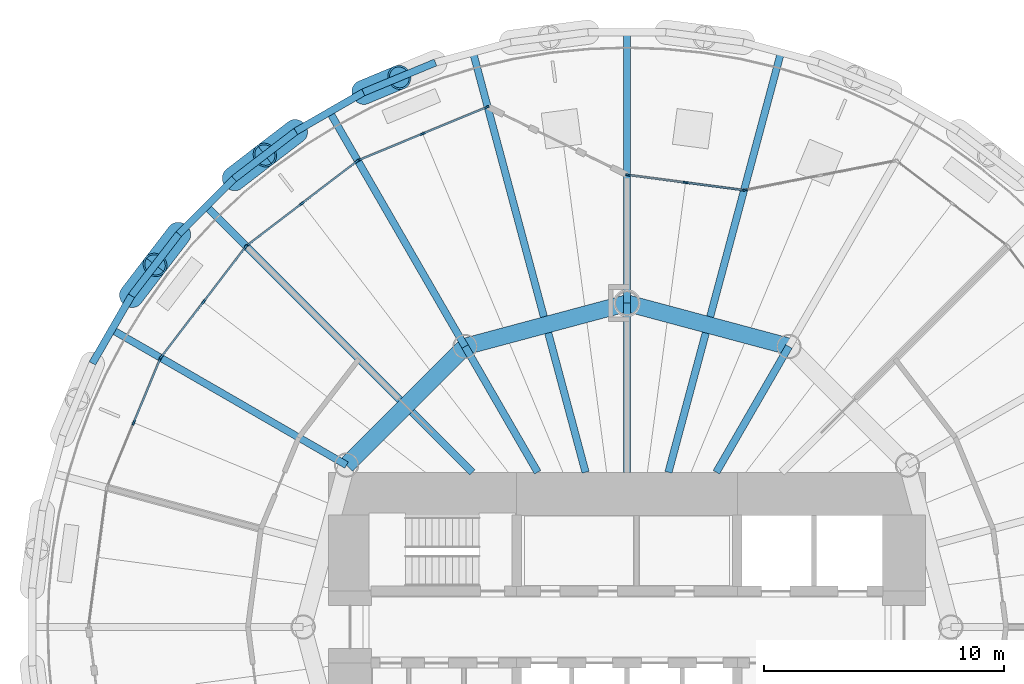
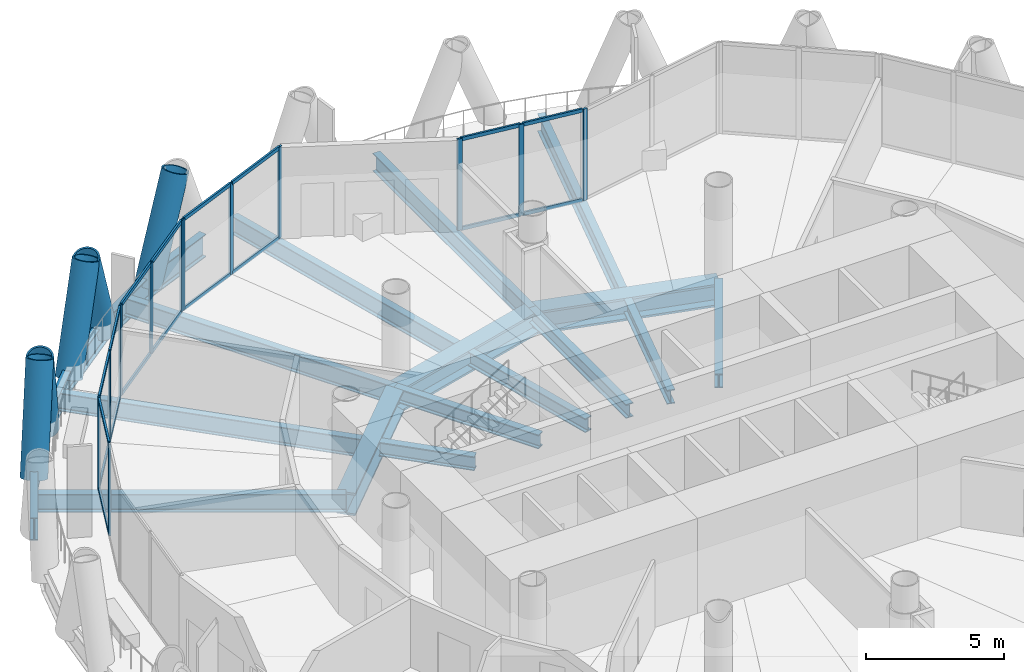
# One storey, part 6 of 15: 37 members, 21 beams, 6 elements without a shape of their own.
"""IFC4 building model written with IfcOpenShell, lengths in metres."""

from ifc_helpers import new_model, si_unit, direction, frame, origin, origin_2d, place, context, subcontext, project, spatial, rectangle, hollow_circle, i_section, extrude, material, material_profile, profile_set, type_object, element, aggregate, save


model = new_model("IFC4")

# Units and contexts
model_context = context("Model", 3, precision=1e-05, world=origin(), true_north=direction((0.0, 1.0)))
body_context = subcontext(model_context, "Body", "Model", "MODEL_VIEW")
ifc_project = project(units=[si_unit("LENGTHUNIT", "METRE"), si_unit("AREAUNIT", "SQUARE_METRE"), si_unit("VOLUMEUNIT", "CUBIC_METRE"), si_unit("PLANEANGLEUNIT", "RADIAN"), si_unit("MASSUNIT", "GRAM", prefix="KILO")], contexts=[model_context])

# Site, building, storey
site_placement = place(None, origin())
site = spatial("IfcSite", under=ifc_project, at=site_placement, CompositionType="ELEMENT")
building_placement = place(site_placement, origin())
building = spatial("IfcBuilding", under=site, at=building_placement, Name="Qaws Media Tower", CompositionType="ELEMENT")
storey_placement = place(building_placement, frame((0.0, 0.0, 147.800048828125)))
storey = spatial("IfcBuildingStorey", under=building, at=storey_placement, Name="L33", CompositionType="ELEMENT", Elevation=147.800048828125)

# Curtain wall, member
ifc_material_1 = material(Name="Aluminium and clear glass", Category="aluminium")
curtain_wall_type_1 = type_object("IfcCurtainWallType", Name="Loggia curtain wall CW-G", PredefinedType="NOTDEFINED", material=ifc_material_1)
curtain_wall_1_placement = place(storey_placement, origin())
curtain_wall_1 = element("IfcCurtainWall", 1, at=curtain_wall_1_placement, inside=storey, type_object=curtain_wall_type_1, Name="CWG curtain wall L33-05", PredefinedType="NOTDEFINED")
ifc_material_2 = material(Name="Aluminium mullion", Category="aluminium")
ifc_material_profile_1 = material_profile(ifc_material_2, rectangle(XDim=0.080078125, YDim=0.199951171875, at=origin_2d()), Name="80x200")
ifc_profile_set_1 = profile_set([ifc_material_profile_1], Name="Aluminium mullion")
member_type_1 = type_object("IfcMemberType", Name="Curtain wall mullion 80x200", PredefinedType="MULLION", material=ifc_profile_set_1)
member_1_placement = place(storey_placement, frame((64.91796875, 68.21533203125, 0.0), z_axis=(0.0, 0.0, 1.0), x_axis=(0.190955028534, -0.981598786204, 0.0)))
member_1 = element("IfcMember", 2, at=member_1_placement, type_object=member_type_1, Name="CWG mullion 3", PredefinedType="MULLION", context=body_context, shape_type="SweptSolid", body=[
    extrude(rectangle(XDim=0.080078125, YDim=0.199951171875, at=origin_2d()), origin(), (0.0, 0.0, 1.0), 4.0400390625),
])
aggregate(curtain_wall_1, [member_1])

# Curtain wall, members
curtain_wall_2_placement = place(storey_placement, origin())
curtain_wall_2 = element("IfcCurtainWall", 3, at=curtain_wall_2_placement, inside=storey, type_object=curtain_wall_type_1, Name="CWG curtain wall L33-06", PredefinedType="NOTDEFINED")
member_2_placement = place(storey_placement, frame((62.439453125, 68.52880859375, 0.0), z_axis=(0.0, 0.0, 1.0), x_axis=(-0.13052615737, -0.991444865962, 0.0)))
member_2 = element("IfcMember", 4, at=member_2_placement, type_object=member_type_1, Name="CWG mullion 2", PredefinedType="MULLION", context=body_context, shape_type="SweptSolid", body=[
    extrude(rectangle(XDim=0.080078125, YDim=0.199951171875, at=origin_2d()), origin(), (0.0, 0.0, 1.0), 4.0400390625),
])
member_3_placement = place(storey_placement, frame((60.03955078125, 68.8447265625, 0.0), z_axis=(0.0, 0.0, 1.0), x_axis=(-0.13052615737, -0.991444865962, 0.0)))
member_3 = element("IfcMember", 5, at=member_3_placement, type_object=member_type_1, Name="CWG mullion 3", PredefinedType="MULLION", context=body_context, shape_type="SweptSolid", body=[
    extrude(rectangle(XDim=0.080078125, YDim=0.199951171875, at=origin_2d()), origin(), (0.0, 0.0, 1.0), 4.0400390625),
])

ifc_material_3 = material(Name="Aluminium and clear glass", Category="aluminium")
curtain_wall_type_2 = type_object("IfcCurtainWallType", Name="Unitised curtain wall CW-B", PredefinedType="NOTDEFINED", material=ifc_material_3)
curtain_wall_3_placement = place(storey_placement, origin())
curtain_wall_3 = element("IfcCurtainWall", 6, at=curtain_wall_3_placement, inside=storey, type_object=curtain_wall_type_2, Name="CWB curtain wall L33-08", PredefinedType="NOTDEFINED")
member_4_placement = place(storey_placement, frame((54.152587890625, 71.669677734375, 0.0), z_axis=(0.0, 0.0, 1.0), x_axis=(0.382683533725, -0.923879490527, 0.0)))
member_4 = element("IfcMember", 7, at=member_4_placement, type_object=member_type_1, Name="CWB mullion 1", PredefinedType="MULLION", context=body_context, shape_type="SweptSolid", body=[
    extrude(rectangle(XDim=0.080078125, YDim=0.199951171875, at=origin_2d()), origin(), (0.0, 0.0, 1.0), 4.0400390625),
])
member_5_placement = place(storey_placement, frame((51.482177734375, 70.563720703125, 0.0), z_axis=(0.0, 0.0, 1.0), x_axis=(0.382683533725, -0.923879490527, 0.0)))
member_5 = element("IfcMember", 8, at=member_5_placement, type_object=member_type_1, Name="CWB mullion 2", PredefinedType="MULLION", context=body_context, shape_type="SweptSolid", body=[
    extrude(rectangle(XDim=0.080078125, YDim=0.199951171875, at=origin_2d()), origin(), (0.0, 0.0, 1.0), 4.0400390625),
])
member_6_placement = place(storey_placement, frame((48.81201171875, 69.45751953125, 0.0), z_axis=(0.0, 0.0, 1.0), x_axis=(0.382683533725, -0.923879490527, 0.0)))
member_6 = element("IfcMember", 9, at=member_6_placement, type_object=member_type_1, Name="CWB mullion 3", PredefinedType="MULLION", context=body_context, shape_type="SweptSolid", body=[
    extrude(rectangle(XDim=0.080078125, YDim=0.199951171875, at=origin_2d()), origin(), (0.0, 0.0, 1.0), 4.0400390625),
])

curtain_wall_4_placement = place(storey_placement, origin())
curtain_wall_4 = element("IfcCurtainWall", 10, at=curtain_wall_4_placement, inside=storey, type_object=curtain_wall_type_2, Name="CWB curtain wall L33-09", PredefinedType="NOTDEFINED")
member_7_placement = place(storey_placement, frame((48.7431640625, 69.41796875, 0.0), z_axis=(0.0, 0.0, 1.0), x_axis=(0.608761440294, -0.793353331632, 0.0)))
member_7 = element("IfcMember", 11, at=member_7_placement, type_object=member_type_1, Name="CWB mullion 1", PredefinedType="MULLION", context=body_context, shape_type="SweptSolid", body=[
    extrude(rectangle(XDim=0.080078125, YDim=0.199951171875, at=origin_2d()), origin(), (0.0, 0.0, 1.0), 4.0400390625),
])
member_8_placement = place(storey_placement, frame((46.4501953125, 67.658447265625, 0.0), z_axis=(0.0, 0.0, 1.0), x_axis=(0.608761440294, -0.793353331632, 0.0)))
member_8 = element("IfcMember", 12, at=member_8_placement, type_object=member_type_1, Name="CWB mullion 2", PredefinedType="MULLION", context=body_context, shape_type="SweptSolid", body=[
    extrude(rectangle(XDim=0.080078125, YDim=0.199951171875, at=origin_2d()), origin(), (0.0, 0.0, 1.0), 4.0400390625),
])
member_9_placement = place(storey_placement, frame((44.1572265625, 65.89892578125, 0.0), z_axis=(0.0, 0.0, 1.0), x_axis=(0.608761440294, -0.793353331632, 0.0)))
member_9 = element("IfcMember", 13, at=member_9_placement, type_object=member_type_1, Name="CWB mullion 3", PredefinedType="MULLION", context=body_context, shape_type="SweptSolid", body=[
    extrude(rectangle(XDim=0.080078125, YDim=0.199951171875, at=origin_2d()), origin(), (0.0, 0.0, 1.0), 4.0400390625),
])

curtain_wall_5_placement = place(storey_placement, origin())
curtain_wall_5 = element("IfcCurtainWall", 14, at=curtain_wall_5_placement, inside=storey, type_object=curtain_wall_type_2, Name="CWB curtain wall L33-10", PredefinedType="NOTDEFINED")
member_10_placement = place(storey_placement, frame((44.10107421875, 65.8427734375, 0.0), z_axis=(0.0, 0.0, 1.0), x_axis=(0.793353331632, -0.608761440294, 0.0)))
member_10 = element("IfcMember", 15, at=member_10_placement, type_object=member_type_1, Name="CWB mullion 1", PredefinedType="MULLION", context=body_context, shape_type="SweptSolid", body=[
    extrude(rectangle(XDim=0.080078125, YDim=0.199951171875, at=origin_2d()), origin(), (0.0, 0.0, 1.0), 4.0400390625),
])
member_11_placement = place(storey_placement, frame((42.341552734375, 63.5498046875, 0.0), z_axis=(0.0, 0.0, 1.0), x_axis=(0.793353331632, -0.608761440294, 0.0)))
member_11 = element("IfcMember", 16, at=member_11_placement, type_object=member_type_1, Name="CWB mullion 2", PredefinedType="MULLION", context=body_context, shape_type="SweptSolid", body=[
    extrude(rectangle(XDim=0.080078125, YDim=0.199951171875, at=origin_2d()), origin(), (0.0, 0.0, 1.0), 4.0400390625),
])
member_12_placement = place(storey_placement, frame((40.58203125, 61.2568359375, 0.0), z_axis=(0.0, 0.0, 1.0), x_axis=(0.793353331632, -0.608761440294, 0.0)))
member_12 = element("IfcMember", 17, at=member_12_placement, type_object=member_type_1, Name="CWB mullion 3", PredefinedType="MULLION", context=body_context, shape_type="SweptSolid", body=[
    extrude(rectangle(XDim=0.080078125, YDim=0.199951171875, at=origin_2d()), origin(), (0.0, 0.0, 1.0), 4.0400390625),
])

curtain_wall_6_placement = place(storey_placement, origin())
curtain_wall_6 = element("IfcCurtainWall", 18, at=curtain_wall_6_placement, inside=storey, type_object=curtain_wall_type_2, Name="CWB curtain wall L33-11", PredefinedType="NOTDEFINED")
member_13_placement = place(storey_placement, frame((40.54248046875, 61.18798828125, 0.0), z_axis=(0.0, 0.0, 1.0), x_axis=(0.923879490527, -0.382683533725, 0.0)))
member_13 = element("IfcMember", 19, at=member_13_placement, type_object=member_type_1, Name="CWB mullion 1", PredefinedType="MULLION", context=body_context, shape_type="SweptSolid", body=[
    extrude(rectangle(XDim=0.080078125, YDim=0.199951171875, at=origin_2d()), origin(), (0.0, 0.0, 1.0), 4.0400390625),
])
member_14_placement = place(storey_placement, frame((39.436279296875, 58.517822265625, 0.0), z_axis=(0.0, 0.0, 1.0), x_axis=(0.923879490527, -0.382683533725, 0.0)))
member_14 = element("IfcMember", 20, at=member_14_placement, type_object=member_type_1, Name="CWB mullion 2", PredefinedType="MULLION", context=body_context, shape_type="SweptSolid", body=[
    extrude(rectangle(XDim=0.080078125, YDim=0.199951171875, at=origin_2d()), origin(), (0.0, 0.0, 1.0), 4.0400390625),
])

# Member
ifc_material_4 = material(Name="Aluminium transom", Category="aluminium")
ifc_material_profile_2 = material_profile(ifc_material_4, rectangle(XDim=0.080078125, YDim=0.159912109375, at=origin_2d()), Name="80x160")
ifc_profile_set_2 = profile_set([ifc_material_profile_2], Name="Aluminium transom")
member_type_2 = type_object("IfcMemberType", Name="Curtain wall transom 80x160", PredefinedType="USERDEFINED", material=ifc_profile_set_2)
member_15_placement = place(storey_placement, frame((64.79931640625, 68.21826171875, 0.0400390625), z_axis=(-0.991447903127, 0.130503085734, 0.0), x_axis=(-0.130503085734, -0.991447903127, 0.0)))
member_15 = element("IfcMember", 21, at=member_15_placement, type_object=member_type_2, Name="CWG transom 1.1", ObjectType="TRANSOM", PredefinedType="USERDEFINED", context=body_context, shape_type="SweptSolid", body=[
    extrude(rectangle(XDim=0.080078125, YDim=0.159912109375, at=origin_2d()), origin(), (0.0, 0.0, 1.0), 2.34033203125),
])

member_16_placement = place(storey_placement, frame((64.79931640625, 68.21826171875, 4.0), z_axis=(-0.991447903127, 0.130503085734, 0.0), x_axis=(-0.130503085734, -0.991447903127, 0.0)))
member_16 = element("IfcMember", 22, at=member_16_placement, type_object=member_type_2, Name="CWG transom 1.2", ObjectType="TRANSOM", PredefinedType="USERDEFINED", context=body_context, shape_type="SweptSolid", body=[
    extrude(rectangle(XDim=0.080078125, YDim=0.159912109375, at=origin_2d()), origin(), (0.0, 0.0, 1.0), 2.34033203125),
])

member_17_placement = place(storey_placement, frame((62.399658203125, 68.5341796875, 0.0400390625), z_axis=(-0.991447903127, 0.130503085734, 0.0), x_axis=(-0.130503085734, -0.991447903127, 0.0)))
member_17 = element("IfcMember", 23, at=member_17_placement, type_object=member_type_2, Name="CWG transom 2.1", ObjectType="TRANSOM", PredefinedType="USERDEFINED", context=body_context, shape_type="SweptSolid", body=[
    extrude(rectangle(XDim=0.080078125, YDim=0.159912109375, at=origin_2d()), origin(), (0.0, 0.0, 1.0), 2.34033203125),
])

member_18_placement = place(storey_placement, frame((62.399658203125, 68.5341796875, 4.0), z_axis=(-0.991447903127, 0.130503085734, 0.0), x_axis=(-0.130503085734, -0.991447903127, 0.0)))
member_18 = element("IfcMember", 24, at=member_18_placement, type_object=member_type_2, Name="CWG transom 2.2", ObjectType="TRANSOM", PredefinedType="USERDEFINED", context=body_context, shape_type="SweptSolid", body=[
    extrude(rectangle(XDim=0.080078125, YDim=0.159912109375, at=origin_2d()), origin(), (0.0, 0.0, 1.0), 2.34033203125),
])

aggregate(curtain_wall_2, [member_2, member_3, member_15, member_16, member_17, member_18])

member_19_placement = place(storey_placement, frame((54.11572265625, 71.654541015625, 0.0400390625), z_axis=(-0.923853769543, -0.382745623752, 0.0), x_axis=(0.382745623752, -0.923853769543, 0.0)))
member_19 = element("IfcMember", 25, at=member_19_placement, type_object=member_type_2, Name="CWB transom 1.1", ObjectType="TRANSOM", PredefinedType="USERDEFINED", context=body_context, shape_type="SweptSolid", body=[
    extrude(rectangle(XDim=0.080078125, YDim=0.159912109375, at=origin_2d()), origin(), (0.0, 0.0, 1.0), 2.810546875),
])

member_20_placement = place(storey_placement, frame((54.11572265625, 71.654541015625, 4.0), z_axis=(-0.923853769543, -0.382745623752, 0.0), x_axis=(0.382745623752, -0.923853769543, 0.0)))
member_20 = element("IfcMember", 26, at=member_20_placement, type_object=member_type_2, Name="CWB transom 1.2", ObjectType="TRANSOM", PredefinedType="USERDEFINED", context=body_context, shape_type="SweptSolid", body=[
    extrude(rectangle(XDim=0.080078125, YDim=0.159912109375, at=origin_2d()), origin(), (0.0, 0.0, 1.0), 2.810546875),
])

member_21_placement = place(storey_placement, frame((51.4453125, 70.54833984375, 0.0400390625), z_axis=(-0.923884484618, -0.382671476703, 0.0), x_axis=(0.382671476703, -0.923884484618, 0.0)))
member_21 = element("IfcMember", 27, at=member_21_placement, type_object=member_type_2, Name="CWB transom 2.1", ObjectType="TRANSOM", PredefinedType="USERDEFINED", context=body_context, shape_type="SweptSolid", body=[
    extrude(rectangle(XDim=0.080078125, YDim=0.159912109375, at=origin_2d()), origin(), (0.0, 0.0, 1.0), 2.810302734375),
])

member_22_placement = place(storey_placement, frame((51.4453125, 70.54833984375, 4.0), z_axis=(-0.923884484618, -0.382671476703, 0.0), x_axis=(0.382671476703, -0.923884484618, 0.0)))
member_22 = element("IfcMember", 28, at=member_22_placement, type_object=member_type_2, Name="CWB transom 2.2", ObjectType="TRANSOM", PredefinedType="USERDEFINED", context=body_context, shape_type="SweptSolid", body=[
    extrude(rectangle(XDim=0.080078125, YDim=0.159912109375, at=origin_2d()), origin(), (0.0, 0.0, 1.0), 2.810302734375),
])

aggregate(curtain_wall_3, [member_4, member_5, member_6, member_19, member_20, member_21, member_22])

member_23_placement = place(storey_placement, frame((48.71142578125, 69.3935546875, 0.0400390625), z_axis=(-0.793362992919, -0.608748849253, 0.0), x_axis=(0.608748849253, -0.793362992919, 0.0)))
member_23 = element("IfcMember", 29, at=member_23_placement, type_object=member_type_2, Name="CWB transom 1.1", ObjectType="TRANSOM", PredefinedType="USERDEFINED", context=body_context, shape_type="SweptSolid", body=[
    extrude(rectangle(XDim=0.080078125, YDim=0.159912109375, at=origin_2d()), origin(), (0.0, 0.0, 1.0), 2.81005859375),
])

member_24_placement = place(storey_placement, frame((48.71142578125, 69.3935546875, 4.0), z_axis=(-0.793362992919, -0.608748849253, 0.0), x_axis=(0.608748849253, -0.793362992919, 0.0)))
member_24 = element("IfcMember", 30, at=member_24_placement, type_object=member_type_2, Name="CWB transom 1.2", ObjectType="TRANSOM", PredefinedType="USERDEFINED", context=body_context, shape_type="SweptSolid", body=[
    extrude(rectangle(XDim=0.080078125, YDim=0.159912109375, at=origin_2d()), origin(), (0.0, 0.0, 1.0), 2.81005859375),
])

member_25_placement = place(storey_placement, frame((46.41845703125, 67.634033203125, 0.0400390625), z_axis=(-0.793362992919, -0.608748849253, 0.0), x_axis=(0.608748849253, -0.793362992919, 0.0)))
member_25 = element("IfcMember", 31, at=member_25_placement, type_object=member_type_2, Name="CWB transom 2.1", ObjectType="TRANSOM", PredefinedType="USERDEFINED", context=body_context, shape_type="SweptSolid", body=[
    extrude(rectangle(XDim=0.080078125, YDim=0.159912109375, at=origin_2d()), origin(), (0.0, 0.0, 1.0), 2.81005859375),
])

member_26_placement = place(storey_placement, frame((46.41845703125, 67.634033203125, 4.0), z_axis=(-0.793362992919, -0.608748849253, 0.0), x_axis=(0.608748849253, -0.793362992919, 0.0)))
member_26 = element("IfcMember", 32, at=member_26_placement, type_object=member_type_2, Name="CWB transom 2.2", ObjectType="TRANSOM", PredefinedType="USERDEFINED", context=body_context, shape_type="SweptSolid", body=[
    extrude(rectangle(XDim=0.080078125, YDim=0.159912109375, at=origin_2d()), origin(), (0.0, 0.0, 1.0), 2.81005859375),
])

aggregate(curtain_wall_4, [member_7, member_8, member_9, member_23, member_24, member_25, member_26])

member_27_placement = place(storey_placement, frame((44.07666015625, 65.81103515625, 0.0400390625), z_axis=(-0.608748849253, -0.793362992919, 0.0), x_axis=(0.793362992919, -0.608748849253, 0.0)))
member_27 = element("IfcMember", 33, at=member_27_placement, type_object=member_type_2, Name="CWB transom 1.1", ObjectType="TRANSOM", PredefinedType="USERDEFINED", context=body_context, shape_type="SweptSolid", body=[
    extrude(rectangle(XDim=0.080078125, YDim=0.159912109375, at=origin_2d()), origin(), (0.0, 0.0, 1.0), 2.81005859375),
])

member_28_placement = place(storey_placement, frame((44.07666015625, 65.81103515625, 4.0), z_axis=(-0.608748849253, -0.793362992919, 0.0), x_axis=(0.793362992919, -0.608748849253, 0.0)))
member_28 = element("IfcMember", 34, at=member_28_placement, type_object=member_type_2, Name="CWB transom 1.2", ObjectType="TRANSOM", PredefinedType="USERDEFINED", context=body_context, shape_type="SweptSolid", body=[
    extrude(rectangle(XDim=0.080078125, YDim=0.159912109375, at=origin_2d()), origin(), (0.0, 0.0, 1.0), 2.81005859375),
])

member_29_placement = place(storey_placement, frame((42.317138671875, 63.51806640625, 0.0400390625), z_axis=(-0.608748849253, -0.793362992919, 0.0), x_axis=(0.793362992919, -0.608748849253, 0.0)))
member_29 = element("IfcMember", 35, at=member_29_placement, type_object=member_type_2, Name="CWB transom 2.1", ObjectType="TRANSOM", PredefinedType="USERDEFINED", context=body_context, shape_type="SweptSolid", body=[
    extrude(rectangle(XDim=0.080078125, YDim=0.159912109375, at=origin_2d()), origin(), (0.0, 0.0, 1.0), 2.81005859375),
])

member_30_placement = place(storey_placement, frame((42.317138671875, 63.51806640625, 4.0), z_axis=(-0.608748849253, -0.793362992919, 0.0), x_axis=(0.793362992919, -0.608748849253, 0.0)))
member_30 = element("IfcMember", 36, at=member_30_placement, type_object=member_type_2, Name="CWB transom 2.2", ObjectType="TRANSOM", PredefinedType="USERDEFINED", context=body_context, shape_type="SweptSolid", body=[
    extrude(rectangle(XDim=0.080078125, YDim=0.159912109375, at=origin_2d()), origin(), (0.0, 0.0, 1.0), 2.81005859375),
])

aggregate(curtain_wall_5, [member_10, member_11, member_12, member_27, member_28, member_29, member_30])

member_31_placement = place(storey_placement, frame((40.527099609375, 61.151123046875, 0.0400390625), z_axis=(-0.382671476703, -0.923884484618, 0.0), x_axis=(0.923884484618, -0.382671476703, 0.0)))
member_31 = element("IfcMember", 37, at=member_31_placement, type_object=member_type_2, Name="CWB transom 1.1", ObjectType="TRANSOM", PredefinedType="USERDEFINED", context=body_context, shape_type="SweptSolid", body=[
    extrude(rectangle(XDim=0.080078125, YDim=0.159912109375, at=origin_2d()), origin(), (0.0, 0.0, 1.0), 2.810302734375),
])

member_32_placement = place(storey_placement, frame((40.527099609375, 61.151123046875, 4.0), z_axis=(-0.382671476703, -0.923884484618, 0.0), x_axis=(0.923884484618, -0.382671476703, 0.0)))
member_32 = element("IfcMember", 38, at=member_32_placement, type_object=member_type_2, Name="CWB transom 1.2", ObjectType="TRANSOM", PredefinedType="USERDEFINED", context=body_context, shape_type="SweptSolid", body=[
    extrude(rectangle(XDim=0.080078125, YDim=0.159912109375, at=origin_2d()), origin(), (0.0, 0.0, 1.0), 2.810302734375),
])

aggregate(curtain_wall_6, [member_13, member_14, member_31, member_32])

# Members
ifc_material_5 = material(Name="Steel S460", Category="steel")
ifc_material_profile_3 = material_profile(ifc_material_5, hollow_circle(Radius=0.508056640625, WallThickness=0.070068359375, at=origin_2d()), Name="CHS 1016x70")
ifc_profile_set_3 = profile_set([ifc_material_profile_3], Name="Steel S460")
member_type_3 = type_object("IfcMemberType", Name="Diagrid member CHS 1016x70", PredefinedType="USERDEFINED", material=ifc_profile_set_3)
for number, where, z_axis, x_axis, name in (
    (39, (46.194091796875, 70.662109375, -0.6640625), (-0.286725601393, -0.219177842018, 0.932603615195), (0.60730513351, -0.794468674532, 0.0), "DG3 diagrid L33 A09"),
    (40, (49.009033203125, 72.287353515625, -0.6640625), (0.333183827093, 0.138727206888, 0.932600289209), (-0.384380728682, 0.923174661382, 0.0), "DG3 diagrid L33 B09"),
    (41, (41.31689453125, 66.384765625, -0.6640625), (-0.220260886257, -0.285910882136, 0.932598578951), (0.792182658337, -0.61028406159, 0.0), "DG3 diagrid L33 A10"),
    (42, (43.615234375, 68.68310546875, -0.6640625), (0.285910882136, 0.220260886257, 0.932598578951), (-0.61028406159, 0.792182658337, 0.0), "DG3 diagrid L33 B10"),
    (43, (39.337890625, 63.805908203125, -0.6640625), (0.219177842018, 0.286725601393, 0.932603615195), (-0.794468674532, 0.60730513351, 0.0), "DG3 diagrid L33 B11"),
):
    element("IfcMember", number, at=place(storey_placement, frame(where, z_axis=z_axis, x_axis=x_axis)), inside=storey, type_object=member_type_3, Name=name, ObjectType="DIAGRID", PredefinedType="USERDEFINED", context=body_context, shape_type="SweptSolid", body=[
        extrude(hollow_circle(Radius=0.508056640625, WallThickness=0.070068359375, at=origin_2d()), origin(), (0.0, 0.0, 1.0), 4.50341796875),
    ])

# Beams
ifc_material_6 = material(Name="Steel S460", Category="steel")
ifc_material_profile_4 = material_profile(ifc_material_6, i_section(OverallWidth=0.302001953125, OverallDepth=1.008056640625, WebThickness=0.02099609375, FlangeThickness=0.0400390625, FilletRadius=0.030029296875, at=origin_2d()), Name="HE 1000 M")
ifc_profile_set_4 = profile_set([ifc_material_profile_4], Name="Steel S460")
beam_type_1 = type_object("IfcBeamType", Name="Edge ring beam HE 1000 M", PredefinedType="BEAM", material=ifc_profile_set_4)
for number, where, z_axis, x_axis, name in (
    (44, (52.01220703125, 73.53125, -0.6640625), (-0.923885932757, -0.38266798044, 0.0), (0.38266798044, -0.923885932757, 0.0), "RB3 edge ring beam L33-15"),
    (45, (49.009033203125, 72.287353515625, -0.6640625), (-0.866020479782, -0.500008528526, 0.0), (0.500008528526, -0.866020479782, 0.0), "RB3 edge ring beam L33-16"),
):
    element("IfcBeam", number, at=place(storey_placement, frame(where, z_axis=z_axis, x_axis=x_axis)), inside=storey, type_object=beam_type_1, Name=name, PredefinedType="BEAM", context=body_context, shape_type="SweptSolid", body=[
        extrude(i_section(OverallWidth=0.302001953125, OverallDepth=1.008056640625, WebThickness=0.02099609375, FlangeThickness=0.0400390625, FilletRadius=0.030029296875, at=origin_2d()), origin(), (0.0, 0.0, 1.0), 3.25048828125),
    ])
beam_1_placement = place(storey_placement, frame((46.194091796875, 70.662109375, -0.6640625), z_axis=(-0.793327040969, -0.60879570142, 0.0), x_axis=(0.60879570142, -0.793327040969, 0.0)))
element("IfcBeam", 46, at=beam_1_placement, inside=storey, type_object=beam_type_1, Name="RB3 edge ring beam L33-17", PredefinedType="BEAM", context=body_context, shape_type="SweptSolid", body=[
    extrude(i_section(OverallWidth=0.302001953125, OverallDepth=1.008056640625, WebThickness=0.02099609375, FlangeThickness=0.0400390625, FilletRadius=0.030029296875, at=origin_2d()), origin(), (0.0, 0.0, 1.0), 3.250732421875),
])
beam_2_placement = place(storey_placement, frame((43.615234375, 68.68310546875, -0.6640625), z_axis=(-0.707106781187, -0.707106781187, 0.0), x_axis=(0.707106781187, -0.707106781187, 0.0)))
element("IfcBeam", 47, at=beam_2_placement, inside=storey, type_object=beam_type_1, Name="RB3 edge ring beam L33-18", PredefinedType="BEAM", context=body_context, shape_type="SweptSolid", body=[
    extrude(i_section(OverallWidth=0.302001953125, OverallDepth=1.008056640625, WebThickness=0.02099609375, FlangeThickness=0.0400390625, FilletRadius=0.030029296875, at=origin_2d()), origin(), (0.0, 0.0, 1.0), 3.250244140625),
])
beam_3_placement = place(storey_placement, frame((41.31689453125, 66.384765625, -0.6640625), z_axis=(-0.60879570142, -0.793327040969, 0.0), x_axis=(0.793327040969, -0.60879570142, 0.0)))
element("IfcBeam", 48, at=beam_3_placement, inside=storey, type_object=beam_type_1, Name="RB3 edge ring beam L33-19", PredefinedType="BEAM", context=body_context, shape_type="SweptSolid", body=[
    extrude(i_section(OverallWidth=0.302001953125, OverallDepth=1.008056640625, WebThickness=0.02099609375, FlangeThickness=0.0400390625, FilletRadius=0.030029296875, at=origin_2d()), origin(), (0.0, 0.0, 1.0), 3.250732421875),
])
beam_4_placement = place(storey_placement, frame((39.337890625, 63.805908203125, -0.6640625), z_axis=(-0.500008528526, -0.866020479782, 0.0), x_axis=(0.866020479782, -0.500008528526, 0.0)))
element("IfcBeam", 49, at=beam_4_placement, inside=storey, type_object=beam_type_1, Name="RB3 edge ring beam L33-20", PredefinedType="BEAM", context=body_context, shape_type="SweptSolid", body=[
    extrude(i_section(OverallWidth=0.302001953125, OverallDepth=1.008056640625, WebThickness=0.02099609375, FlangeThickness=0.0400390625, FilletRadius=0.030029296875, at=origin_2d()), origin(), (0.0, 0.0, 1.0), 3.25048828125),
])
ifc_material_7 = material(Name="Steel S460", Category="steel")
ifc_material_profile_5 = material_profile(ifc_material_7, i_section(OverallWidth=0.699951171875, OverallDepth=1.0, WebThickness=0.034912109375, FlangeThickness=0.090087890625, at=origin_2d()), Name="PG 1000x700")
ifc_profile_set_5 = profile_set([ifc_material_profile_5], Name="Steel S460")
beam_type_2 = type_object("IfcBeamType", Name="Inner ring girder PG 1000x700", PredefinedType="BEAM", material=ifc_profile_set_5)
for number, where, z_axis, x_axis, name in (
    (50, (66.75, 61.69140625, -0.66015625), (-0.965928090778, 0.258810593767, 0.0), (-0.258810593767, -0.965928090778, 0.0), "B3 inner ring beam L33 I03-I04"),
    (51, (60.0, 63.5, -0.66015625), (-0.965928090778, -0.258810593767, 0.0), (0.258810593767, -0.965928090778, 0.0), "B3 inner ring beam L33 I04-I05"),
):
    element("IfcBeam", number, at=place(storey_placement, frame(where, z_axis=z_axis, x_axis=x_axis)), inside=storey, type_object=beam_type_2, Name=name, PredefinedType="BEAM", context=body_context, shape_type="SweptSolid", body=[
        extrude(i_section(OverallWidth=0.699951171875, OverallDepth=1.0, WebThickness=0.034912109375, FlangeThickness=0.090087890625, at=origin_2d()), origin(), (0.0, 0.0, 1.0), 6.988037109375),
    ])
beam_5_placement = place(storey_placement, frame((53.25, 61.69140625, -0.66015625), z_axis=(-0.707106781187, -0.707106781187, 0.0), x_axis=(0.707106781187, -0.707106781187, 0.0)))
element("IfcBeam", 52, at=beam_5_placement, inside=storey, type_object=beam_type_2, Name="B3 inner ring beam L33 I05-I06", PredefinedType="BEAM", context=body_context, shape_type="SweptSolid", body=[
    extrude(i_section(OverallWidth=0.699951171875, OverallDepth=1.0, WebThickness=0.034912109375, FlangeThickness=0.090087890625, at=origin_2d()), origin(), (0.0, 0.0, 1.0), 6.98828125),
])
ifc_material_8 = material(Name="Steel S355", Category="steel")
ifc_material_profile_6 = material_profile(ifc_material_8, i_section(OverallWidth=0.304931640625, OverallDepth=0.6201171875, WebThickness=0.02099609375, FlangeThickness=0.0400390625, FilletRadius=0.027099609375, at=origin_2d()), Name="HE 600 M")
ifc_profile_set_6 = profile_set([ifc_material_profile_6], Name="Steel S355")
beam_type_3 = type_object("IfcBeamType", Name="Radial beam HE 600 M, core side", PredefinedType="BEAM", material=ifc_profile_set_6)
beam_6_placement = place(storey_placement, frame((63.723876953125, 56.449951171875, -0.469970703125), z_axis=(0.499995978368, 0.866027725662, 0.0), x_axis=(-0.866027725662, 0.499995978368, 0.0)))
element("IfcBeam", 53, at=beam_6_placement, inside=storey, type_object=beam_type_3, Name="B2 radial beam L33 05", PredefinedType="BEAM", context=body_context, shape_type="SweptSolid", body=[
    extrude(i_section(OverallWidth=0.304931640625, OverallDepth=0.6201171875, WebThickness=0.02099609375, FlangeThickness=0.0400390625, FilletRadius=0.027099609375, at=origin_2d()), origin(), (0.0, 0.0, 1.0), 6.05224609375),
])
beam_7_placement = place(storey_placement, frame((61.728271484375, 56.449951171875, -0.469970703125), z_axis=(0.258819977482, 0.965925576458, 0.0), x_axis=(-0.965925576458, 0.258819977482, 0.0)))
element("IfcBeam", 54, at=beam_7_placement, inside=storey, type_object=beam_type_3, Name="B2 radial beam L33 06", PredefinedType="BEAM", context=body_context, shape_type="SweptSolid", body=[
    extrude(i_section(OverallWidth=0.304931640625, OverallDepth=0.6201171875, WebThickness=0.02099609375, FlangeThickness=0.0400390625, FilletRadius=0.027099609375, at=origin_2d()), origin(), (0.0, 0.0, 1.0), 6.012451171875),
])
beam_8_placement = place(storey_placement, frame((60.0, 56.449951171875, -0.469970703125), z_axis=(0.0, 1.0, 0.0), x_axis=(-1.0, 0.0, 0.0)))
element("IfcBeam", 55, at=beam_8_placement, inside=storey, type_object=beam_type_3, Name="B2 radial beam L33 07", PredefinedType="BEAM", context=body_context, shape_type="SweptSolid", body=[
    extrude(i_section(OverallWidth=0.304931640625, OverallDepth=0.6201171875, WebThickness=0.02099609375, FlangeThickness=0.0400390625, FilletRadius=0.027099609375, at=origin_2d()), origin(), (0.0, 0.0, 1.0), 7.050048828125),
])
beam_9_placement = place(storey_placement, frame((58.271728515625, 56.449951171875, -0.469970703125), z_axis=(-0.258819977482, 0.965925576458, 0.0), x_axis=(-0.965925576458, -0.258819977482, 0.0)))
element("IfcBeam", 56, at=beam_9_placement, inside=storey, type_object=beam_type_3, Name="B2 radial beam L33 08", PredefinedType="BEAM", context=body_context, shape_type="SweptSolid", body=[
    extrude(i_section(OverallWidth=0.304931640625, OverallDepth=0.6201171875, WebThickness=0.02099609375, FlangeThickness=0.0400390625, FilletRadius=0.027099609375, at=origin_2d()), origin(), (0.0, 0.0, 1.0), 6.012451171875),
])
beam_10_placement = place(storey_placement, frame((56.276123046875, 56.449951171875, -0.469970703125), z_axis=(-0.499995978368, 0.866027725662, 0.0), x_axis=(-0.866027725662, -0.499995978368, 0.0)))
element("IfcBeam", 57, at=beam_10_placement, inside=storey, type_object=beam_type_3, Name="B2 radial beam L33 09", PredefinedType="BEAM", context=body_context, shape_type="SweptSolid", body=[
    extrude(i_section(OverallWidth=0.304931640625, OverallDepth=0.6201171875, WebThickness=0.02099609375, FlangeThickness=0.0400390625, FilletRadius=0.027099609375, at=origin_2d()), origin(), (0.0, 0.0, 1.0), 6.05224609375),
])
beam_11_placement = place(storey_placement, frame((53.550048828125, 56.449951171875, -0.469970703125), z_axis=(-0.707106781187, 0.707106781187, 0.0), x_axis=(-0.707106781187, -0.707106781187, 0.0)))
element("IfcBeam", 58, at=beam_11_placement, inside=storey, type_object=beam_type_3, Name="B2 radial beam L33 10", PredefinedType="BEAM", context=body_context, shape_type="SweptSolid", body=[
    extrude(i_section(OverallWidth=0.304931640625, OverallDepth=0.6201171875, WebThickness=0.02099609375, FlangeThickness=0.0400390625, FilletRadius=0.027099609375, at=origin_2d()), origin(), (0.0, 0.0, 1.0), 3.568359375),
])
ifc_material_9 = material(Name="Steel S355", Category="steel")
ifc_material_profile_7 = material_profile(ifc_material_9, i_section(OverallWidth=0.300048828125, OverallDepth=0.800048828125, WebThickness=0.017578125, FlangeThickness=0.032958984375, FilletRadius=0.030029296875, at=origin_2d()), Name="HE 800 B")
ifc_profile_set_7 = profile_set([ifc_material_profile_7], Name="Steel S355")
beam_type_4 = type_object("IfcBeamType", Name="Radial beam HE 800 B", PredefinedType="BEAM", material=ifc_profile_set_7)
beam_12_placement = place(storey_placement, frame((63.465576171875, 62.933837890625, -0.56005859375), z_axis=(0.258828090141, 0.965923402633, 0.0), x_axis=(-0.965923402633, 0.258828090141, 0.0)))
element("IfcBeam", 59, at=beam_12_placement, inside=storey, type_object=beam_type_4, Name="B1 radial beam L33 06", PredefinedType="BEAM", context=body_context, shape_type="SweptSolid", body=[
    extrude(i_section(OverallWidth=0.300048828125, OverallDepth=0.800048828125, WebThickness=0.017578125, FlangeThickness=0.032958984375, FilletRadius=0.030029296875, at=origin_2d()), origin(), (0.0, 0.0, 1.0), 11.40673828125),
])
beam_13_placement = place(storey_placement, frame((60.0, 63.5, -0.56005859375), z_axis=(0.0, 1.0, 0.0), x_axis=(-1.0, 0.0, 0.0)))
element("IfcBeam", 60, at=beam_13_placement, inside=storey, type_object=beam_type_4, Name="B1 radial beam L33 07", PredefinedType="BEAM", context=body_context, shape_type="SweptSolid", body=[
    extrude(i_section(OverallWidth=0.300048828125, OverallDepth=0.800048828125, WebThickness=0.017578125, FlangeThickness=0.032958984375, FilletRadius=0.030029296875, at=origin_2d()), origin(), (0.0, 0.0, 1.0), 11.296875),
])
beam_14_placement = place(storey_placement, frame((56.534423828125, 62.933837890625, -0.56005859375), z_axis=(-0.258828090141, 0.965923402633, 0.0), x_axis=(-0.965923402633, -0.258828090141, 0.0)))
element("IfcBeam", 61, at=beam_14_placement, inside=storey, type_object=beam_type_4, Name="B1 radial beam L33 08", PredefinedType="BEAM", context=body_context, shape_type="SweptSolid", body=[
    extrude(i_section(OverallWidth=0.300048828125, OverallDepth=0.800048828125, WebThickness=0.017578125, FlangeThickness=0.032958984375, FilletRadius=0.030029296875, at=origin_2d()), origin(), (0.0, 0.0, 1.0), 11.40673828125),
])
beam_15_placement = place(storey_placement, frame((53.25, 61.69140625, -0.56005859375), z_axis=(-0.500006807861, 0.866021473228, 0.0), x_axis=(-0.866021473228, -0.500006807861, 0.0)))
element("IfcBeam", 62, at=beam_15_placement, inside=storey, type_object=beam_type_4, Name="B1 radial beam L33 09", PredefinedType="BEAM", context=body_context, shape_type="SweptSolid", body=[
    extrude(i_section(OverallWidth=0.300048828125, OverallDepth=0.800048828125, WebThickness=0.017578125, FlangeThickness=0.032958984375, FilletRadius=0.030029296875, at=origin_2d()), origin(), (0.0, 0.0, 1.0), 11.296630859375),
])
beam_16_placement = place(storey_placement, frame((50.53173828125, 59.46826171875, -0.56005859375), z_axis=(-0.707106781187, 0.707106781187, 0.0), x_axis=(-0.707106781187, -0.707106781187, 0.0)))
element("IfcBeam", 63, at=beam_16_placement, inside=storey, type_object=beam_type_4, Name="B1 radial beam L33 10", PredefinedType="BEAM", context=body_context, shape_type="SweptSolid", body=[
    extrude(i_section(OverallWidth=0.300048828125, OverallDepth=0.800048828125, WebThickness=0.017578125, FlangeThickness=0.032958984375, FilletRadius=0.030029296875, at=origin_2d()), origin(), (0.0, 0.0, 1.0), 11.406494140625),
])
beam_17_placement = place(storey_placement, frame((48.30859375, 56.75, -0.56005859375), z_axis=(-0.866021473228, 0.500006807861, 0.0), x_axis=(-0.500006807861, -0.866021473228, 0.0)))
element("IfcBeam", 64, at=beam_17_placement, inside=storey, type_object=beam_type_4, Name="B1 radial beam L33 11", PredefinedType="BEAM", context=body_context, shape_type="SweptSolid", body=[
    extrude(i_section(OverallWidth=0.300048828125, OverallDepth=0.800048828125, WebThickness=0.017578125, FlangeThickness=0.032958984375, FilletRadius=0.030029296875, at=origin_2d()), origin(), (0.0, 0.0, 1.0), 11.296630859375),
])

save(model, "model.ifc")
